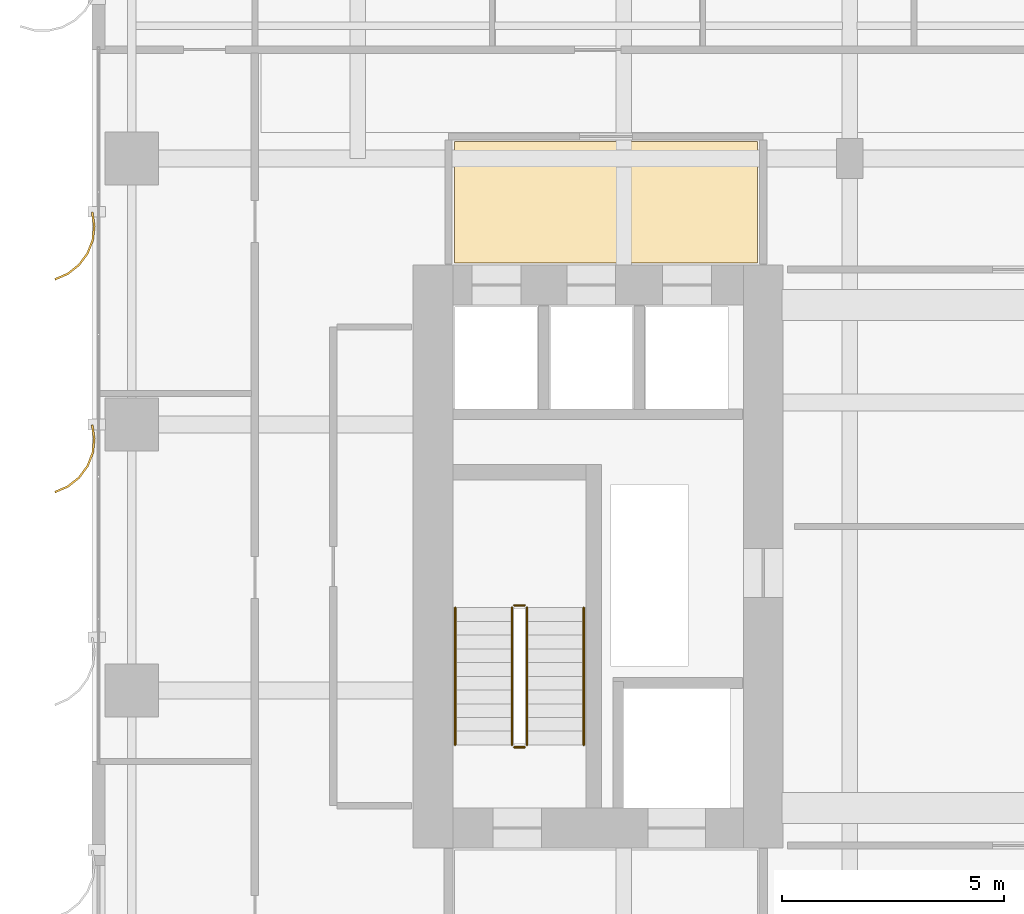
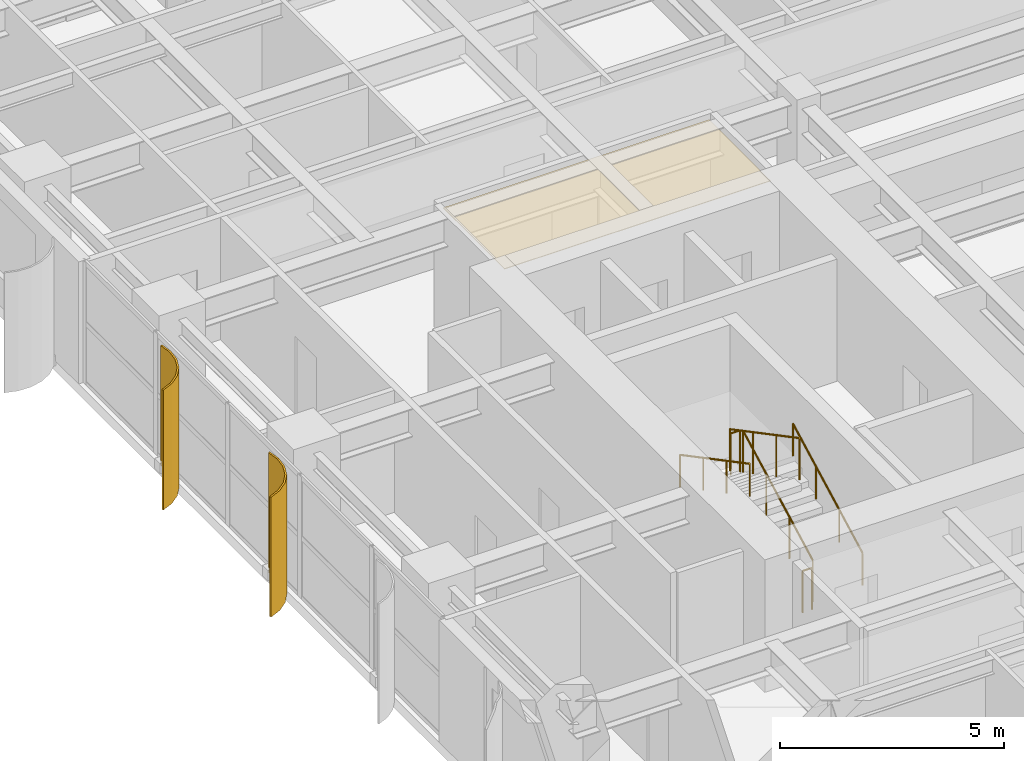
# One storey, part 16 of 18: 6 railings, 2 shading devices, 1 covering.
"""IFC4 building model written with IfcOpenShell, lengths in metres."""

from ifc_helpers import new_model, si_unit, direction, frame, origin, origin_2d, place, context, subcontext, project, spatial, polyline, circle, outline, extrude, source, transform, mapped, material, layer, layer_set, type_object, element, save


model = new_model("IFC4")

# Units and contexts
model_context = context("Model", 3, precision=1e-05, world=origin(), true_north=direction((0.0, 1.0)))
body_context = subcontext(model_context, "Body", "Model", "MODEL_VIEW")
ifc_project = project(units=[si_unit("LENGTHUNIT", "METRE"), si_unit("AREAUNIT", "SQUARE_METRE"), si_unit("VOLUMEUNIT", "CUBIC_METRE"), si_unit("PLANEANGLEUNIT", "RADIAN"), si_unit("MASSUNIT", "GRAM", prefix="KILO")], contexts=[model_context])

# Site, building, storey
site_placement = place(None, origin())
site = spatial("IfcSite", under=ifc_project, at=site_placement, CompositionType="ELEMENT")
building_placement = place(site_placement, origin())
building = spatial("IfcBuilding", under=site, at=building_placement, Name="Khoralis Quay Care Tower", CompositionType="ELEMENT")
storey_placement = place(building_placement, frame((0.0, 0.0, 47.699951171875)))
storey = spatial("IfcBuildingStorey", under=building, at=storey_placement, Name="L12", CompositionType="ELEMENT", Elevation=47.699951171875)

# Covering
ifc_material_1 = material(Name="Mineral-fibre acoustic ceiling tile")
ifc_layer_1 = layer(ifc_material_1, 0.01806640625)
ifc_layer_set_1 = layer_set([ifc_layer_1], Name="Mineral-fibre acoustic ceiling tile")
covering_type = type_object("IfcCoveringType", Name="COV-CEIL-AC18", PredefinedType="CEILING", material=ifc_layer_set_1)
covering_placement = place(storey_placement, frame((0.0, 0.0, 3.172119140625)))
element("IfcCovering", 1, at=covering_placement, inside=storey, type_object=covering_type, Name="Suspended Acoustic Ceiling SP-L12-LLOB-W", PredefinedType="CEILING", context=body_context, shape_type="SweptSolid", body=[
    extrude(outline(polyline([(8.179931640625, 27.64990234375), (15.02001953125, 27.64990234375), (15.02001953125, 30.389892578125), (8.179931640625, 30.389892578125), (8.179931640625, 27.64990234375)])), origin(), (0.0, 0.0, 1.0), 0.017822265625),
])

# Railings
ifc_material_2 = material(Name="Brushed stainless steel", Category="steel")
railing_type_1 = type_object("IfcRailingType", Name="RL-GUARD-1150", PredefinedType="GUARDRAIL", material=ifc_material_2)
railing_1_placement = place(storey_placement, frame((9.820068359375, 16.77001953125, 0.16357421875)))
element("IfcRailing", 2, at=railing_1_placement, inside=storey, type_object=railing_type_1, Name="L12 ST-T1 stair guard 1", PredefinedType="GUARDRAIL", context=body_context, shape_type="SweptSolid", body=[
    extrude(circle(Radius=0.02392578125, at=origin_2d()), frame((0.0, 0.0, 1.1259765625), z_axis=(0.0, 0.884348015382, 0.466828220752), x_axis=(-1.0, 0.0, 0.0)), (0.0, 0.0, 1.0), 3.505615234375),
    extrude(circle(Radius=0.02099609375, at=origin_2d()), origin(), (0.0, 0.0, 1.0), 1.101806640625),
    extrude(circle(Radius=0.02099609375, at=origin_2d()), frame((0.0, 1.033447265625, 0.54541015625)), (0.0, 0.0, 1.0), 1.101806640625),
    extrude(circle(Radius=0.02099609375, at=origin_2d()), frame((0.0, 2.066650390625, 1.091064453125)), (0.0, 0.0, 1.0), 1.101806640625),
    extrude(circle(Radius=0.02099609375, at=origin_2d()), frame((0.0, 3.10009765625, 1.636474609375)), (0.0, 0.0, 1.0), 1.101806640625),
])
railing_2_placement = place(storey_placement, frame((9.77001953125, 19.919921875, 1.800048828125)))
element("IfcRailing", 3, at=railing_2_placement, inside=storey, type_object=railing_type_1, Name="L12 ST-T1 stair guard 2", PredefinedType="GUARDRAIL", context=body_context, shape_type="SweptSolid", body=[
    extrude(circle(Radius=0.02392578125, at=origin_2d()), frame((0.0, 0.0, 1.1259765625), z_axis=(-1.0, 0.0, 0.0), x_axis=(0.0, -1.0, 0.0)), (0.0, 0.0, 1.0), 0.239990234375),
    extrude(circle(Radius=0.02099609375, at=origin_2d()), origin(), (0.0, 0.0, 1.0), 1.101806640625),
    extrude(circle(Radius=0.02099609375, at=origin_2d()), frame((-0.239990234375, 0.0, 0.0)), (0.0, 0.0, 1.0), 1.101806640625),
])
railing_3_placement = place(storey_placement, frame((9.47998046875, 19.8701171875, 1.963623046875)))
element("IfcRailing", 4, at=railing_3_placement, inside=storey, type_object=railing_type_1, Name="L12 ST-T1 stair guard 3", PredefinedType="GUARDRAIL", context=body_context, shape_type="SweptSolid", body=[
    extrude(circle(Radius=0.02392578125, at=origin_2d()), frame((0.0, 0.0, 1.1259765625), z_axis=(0.0, -0.884348015382, 0.466828220752), x_axis=(1.0, 0.0, 0.0)), (0.0, 0.0, 1.0), 3.505615234375),
    extrude(circle(Radius=0.02099609375, at=origin_2d()), origin(), (0.0, 0.0, 1.0), 1.101806640625),
    extrude(circle(Radius=0.02099609375, at=origin_2d()), frame((0.0, -1.033447265625, 0.54541015625)), (0.0, 0.0, 1.0), 1.101806640625),
    extrude(circle(Radius=0.02099609375, at=origin_2d()), frame((0.0, -2.066650390625, 1.091064453125)), (0.0, 0.0, 1.0), 1.101806640625),
    extrude(circle(Radius=0.02099609375, at=origin_2d()), frame((0.0, -3.10009765625, 1.636474609375)), (0.0, 0.0, 1.0), 1.101806640625),
])
railing_4_placement = place(storey_placement, frame((9.77001953125, 16.719970703125, 0.0)))
element("IfcRailing", 5, at=railing_4_placement, inside=storey, type_object=railing_type_1, Name="L12 ST-T1 stair guard 4", PredefinedType="GUARDRAIL", context=body_context, shape_type="SweptSolid", body=[
    extrude(circle(Radius=0.02392578125, at=origin_2d()), frame((0.0, 0.0, 1.1259765625), z_axis=(-1.0, 0.0, 0.0), x_axis=(0.0, -1.0, 0.0)), (0.0, 0.0, 1.0), 0.239990234375),
    extrude(circle(Radius=0.02099609375, at=origin_2d()), origin(), (0.0, 0.0, 1.0), 1.101806640625),
    extrude(circle(Radius=0.02099609375, at=origin_2d()), frame((-0.239990234375, 0.0, 0.0)), (0.0, 0.0, 1.0), 1.101806640625),
])
railing_type_2 = type_object("IfcRailingType", Name="RL-HAND-900", PredefinedType="HANDRAIL", material=ifc_material_2)
railing_5_placement = place(storey_placement, frame((11.10009765625, 16.77001953125, 0.16357421875)))
element("IfcRailing", 6, at=railing_5_placement, inside=storey, type_object=railing_type_2, Name="L12 ST-T1 stair handrail 1", PredefinedType="HANDRAIL", context=body_context, shape_type="SweptSolid", body=[
    extrude(circle(Radius=0.02392578125, at=origin_2d()), frame((0.0, 0.0, 0.8759765625), z_axis=(0.0, 0.884348015382, 0.466828220752), x_axis=(-1.0, 0.0, 0.0)), (0.0, 0.0, 1.0), 3.505615234375),
    extrude(circle(Radius=0.02099609375, at=origin_2d()), origin(), (0.0, 0.0, 1.0), 0.851806640625),
    extrude(circle(Radius=0.02099609375, at=origin_2d()), frame((0.0, 1.033447265625, 0.54541015625)), (0.0, 0.0, 1.0), 0.851806640625),
    extrude(circle(Radius=0.02099609375, at=origin_2d()), frame((0.0, 2.066650390625, 1.091064453125)), (0.0, 0.0, 1.0), 0.851806640625),
    extrude(circle(Radius=0.02099609375, at=origin_2d()), frame((0.0, 3.10009765625, 1.636474609375)), (0.0, 0.0, 1.0), 0.851806640625),
])
railing_6_placement = place(storey_placement, frame((8.199951171875, 19.8701171875, 1.963623046875)))
element("IfcRailing", 7, at=railing_6_placement, inside=storey, type_object=railing_type_2, Name="L12 ST-T1 stair handrail 2", PredefinedType="HANDRAIL", context=body_context, shape_type="SweptSolid", body=[
    extrude(circle(Radius=0.02392578125, at=origin_2d()), frame((0.0, 0.0, 0.8759765625), z_axis=(0.0, -0.884348015382, 0.466828220752), x_axis=(1.0, 0.0, 0.0)), (0.0, 0.0, 1.0), 3.505615234375),
    extrude(circle(Radius=0.02099609375, at=origin_2d()), origin(), (0.0, 0.0, 1.0), 0.851806640625),
    extrude(circle(Radius=0.02099609375, at=origin_2d()), frame((0.0, -1.033447265625, 0.54541015625)), (0.0, 0.0, 1.0), 0.851806640625),
    extrude(circle(Radius=0.02099609375, at=origin_2d()), frame((0.0, -2.066650390625, 1.091064453125)), (0.0, 0.0, 1.0), 0.851806640625),
    extrude(circle(Radius=0.02099609375, at=origin_2d()), frame((0.0, -3.10009765625, 1.636474609375)), (0.0, 0.0, 1.0), 0.851806640625),
])

# Shading devices
ifc_material_3 = material(Name="Brushed pale anodised aluminium", Category="aluminium")
ifc_layer_2 = layer(ifc_material_3, 0.044921875)
ifc_layer_set_2 = layer_set([ifc_layer_2], Name="Brushed pale anodised aluminium")
shading_device_type = type_object("IfcShadingDeviceType", Name="SHD-FIN-1250", PredefinedType="USERDEFINED", material=ifc_layer_set_2)
shared_shape = source(origin(), body_context, "Body", "SweptSolid", [
    extrude(outline(polyline([(0.0, 0.0), (-0.04833984375, 0.32275390625), (-0.01123046875, 0.64697265625), (0.1083984375, 0.950439453125), (0.302490234375, 1.212890625), (0.557861328125, 1.416015625), (0.85693359375, 1.546142578125), (0.869384765625, 1.5029296875), (0.5810546875, 1.37744140625), (0.334716796875, 1.181640625), (0.147705078125, 0.9287109375), (0.032470703125, 0.635986328125), (-0.003173828125, 0.323486328125), (0.043212890625, 0.012451171875), (0.0, 0.0)])), origin(), (0.0, 0.0, 1.0), 3.260009765625),
])
for number, where, z_axis, x_axis, name in (
    (8, (0.030029296875, 28.800048828125, 0.02001953125), (0.0, 0.0, 1.0), (-1.0, 0.0, 0.0), "L12 Curved Solar Fin P1E15-03"),
    (9, (0.030029296875, 24.0, 0.02001953125), (0.0, 0.0, 1.0), (-1.0, 0.0, 0.0), "L12 Curved Solar Fin P1E15-04"),
):
    element("IfcShadingDevice", number, at=place(storey_placement, frame(where, z_axis=z_axis, x_axis=x_axis)), inside=storey, type_object=shading_device_type, Name=name, ObjectType="FIN", PredefinedType="USERDEFINED", context=body_context, shape_type="MappedRepresentation", body=[
        mapped(shared_shape, transform((0.0, 0.0, 0.0), scale=1.0)),
    ])

save(model, "model.ifc")
